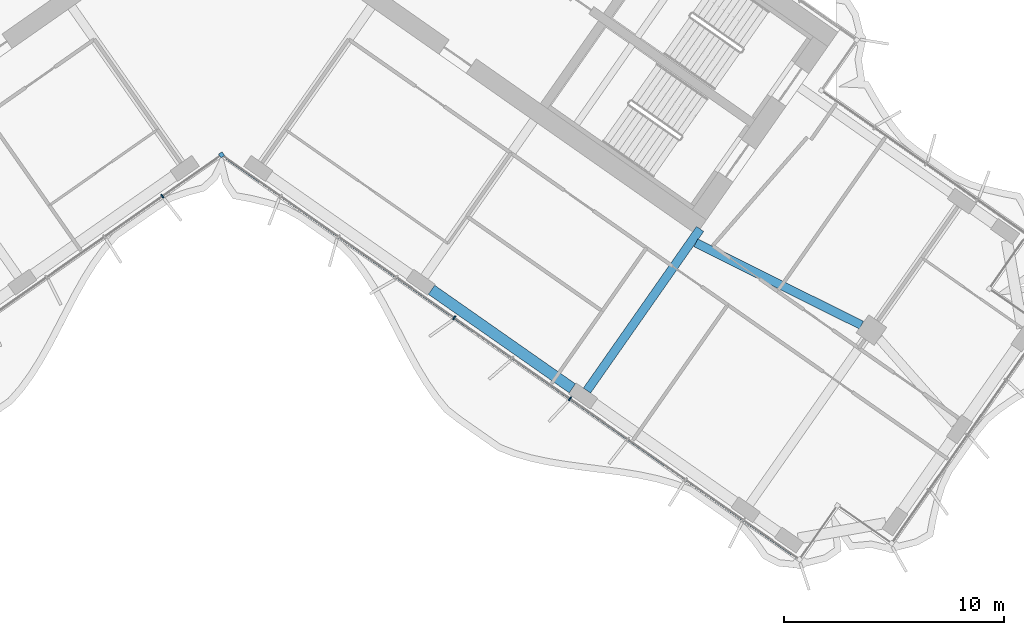
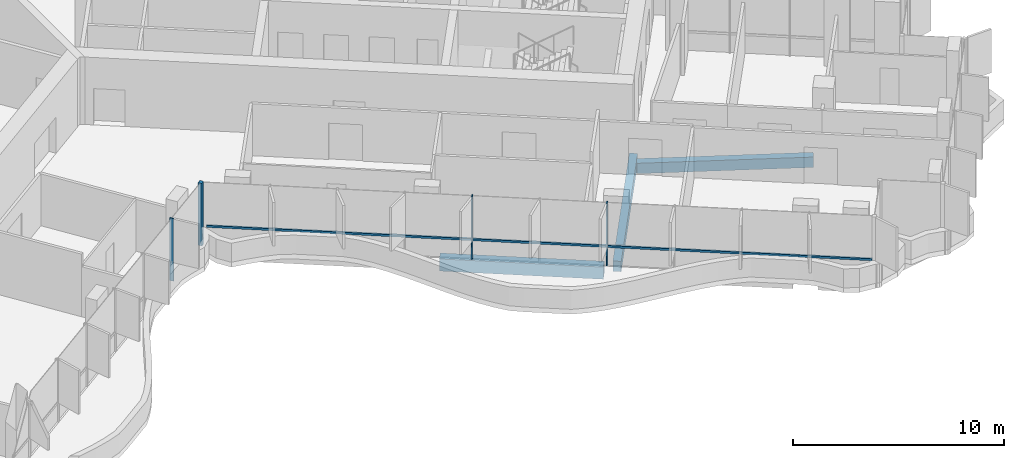
# One storey, part 6 of 23: 5 members, 3 beams, 1 element without a shape of its own.
"""IFC4 building model written with IfcOpenShell, lengths in metres."""

from ifc_helpers import new_model, si_unit, direction, frame, origin, origin_2d, place, context, subcontext, project, spatial, rectangle, extrude, material, material_profile, profile_set, type_object, element, aggregate, save


model = new_model("IFC4")

# Units and contexts
model_context = context("Model", 3, precision=1e-05, world=origin(), true_north=direction((0.0, 1.0)))
body_context = subcontext(model_context, "Body", "Model", "MODEL_VIEW")
ifc_project = project(units=[si_unit("LENGTHUNIT", "METRE"), si_unit("AREAUNIT", "SQUARE_METRE"), si_unit("VOLUMEUNIT", "CUBIC_METRE"), si_unit("PLANEANGLEUNIT", "RADIAN"), si_unit("MASSUNIT", "GRAM", prefix="KILO")], contexts=[model_context])

# Site, building, storey
site_placement = place(None, origin())
site = spatial("IfcSite", under=ifc_project, at=site_placement, CompositionType="ELEMENT")
building_placement = place(site_placement, origin())
building = spatial("IfcBuilding", under=site, at=building_placement, Name="Tel Ilan Convention Tower", CompositionType="ELEMENT")
storey_placement = place(building_placement, frame((0.0, 0.0, 171.0)))
storey = spatial("IfcBuildingStorey", under=building, at=storey_placement, Name="L39", CompositionType="ELEMENT", Elevation=171.0)

# Beams
ifc_material_1 = material(Name="Concrete C40/50", Category="concrete")
ifc_material_profile_1 = material_profile(ifc_material_1, rectangle(XDim=0.39990234375, YDim=0.60009765625, at=origin_2d()), Name="RC 400x600")
ifc_profile_set_1 = profile_set([ifc_material_profile_1], Name="Concrete C40/50")
beam_type_1 = type_object("IfcBeamType", Name="Beam RC 400x600 Concrete C40/50", PredefinedType="BEAM", material=ifc_profile_set_1)
beam_1_placement = place(storey_placement, frame((16.58203125, -23.391357421875, -0.580078125), z_axis=(0.573584999642, 0.819146048141, 0.0), x_axis=(-0.819146048141, 0.573584999642, 0.0)))
element("IfcBeam", 1, at=beam_1_placement, inside=storey, type_object=beam_type_1, Name="L39 beam E-E-F3-core", PredefinedType="BEAM", context=body_context, shape_type="SweptSolid", body=[
    extrude(rectangle(XDim=0.39990234375, YDim=0.60009765625, at=origin_2d()), origin(), (0.0, 0.0, 1.0), 8.949951171875),
])
beam_2_placement = place(storey_placement, frame((21.52099609375, -16.686279296875, -0.580078125), z_axis=(0.895402365524, -0.445257907076, 0.0), x_axis=(0.445257907076, 0.895402365524, 0.0)))
element("IfcBeam", 2, at=beam_2_placement, inside=storey, type_object=beam_type_1, Name="L39 beam E-core-E-M4", PredefinedType="BEAM", context=body_context, shape_type="SweptSolid", body=[
    extrude(rectangle(XDim=0.39990234375, YDim=0.60009765625, at=origin_2d()), origin(), (0.0, 0.0, 1.0), 8.3935546875),
])
ifc_material_2 = material(Name="Concrete C40/50", Category="concrete")
ifc_material_profile_2 = material_profile(ifc_material_2, rectangle(XDim=0.5, YDim=0.699951171875, at=origin_2d()), Name="RC 500x700")
ifc_profile_set_2 = profile_set([ifc_material_profile_2], Name="Concrete C40/50")
beam_type_2 = type_object("IfcBeamType", Name="Beam RC 500x700 Concrete C40/50", PredefinedType="BEAM", material=ifc_profile_set_2)
beam_3_placement = place(storey_placement, frame((9.529052734375, -18.819091796875, -0.6298828125), z_axis=(0.819153977895, -0.573573674866, 0.0), x_axis=(0.573573674866, 0.819153977895, 0.0)))
element("IfcBeam", 3, at=beam_3_placement, inside=storey, type_object=beam_type_2, Name="L39 beam E-E-F2-E-F3", PredefinedType="BEAM", context=body_context, shape_type="SweptSolid", body=[
    extrude(rectangle(XDim=0.5, YDim=0.699951171875, at=origin_2d()), origin(), (0.0, 0.0, 1.0), 7.800048828125),
])

# Curtain wall, members
ifc_material_3 = material(Name="Aluminium, bronze anodised", Category="aluminium")
curtain_wall_type = type_object("IfcCurtainWallType", Name="CW4 STICK CURTAIN WALL, OFFICE TINTED GLASS", PredefinedType="NOTDEFINED", material=ifc_material_3)
curtain_wall_placement = place(storey_placement, origin())
curtain_wall = element("IfcCurtainWall", 4, at=curtain_wall_placement, inside=storey, type_object=curtain_wall_type, Name="Curtain wall CW4-31.02", PredefinedType="NOTDEFINED")
ifc_material_4 = material(Name="Aluminium, bronze anodised", Category="aluminium")
ifc_material_profile_3 = material_profile(ifc_material_4, rectangle(XDim=0.199951171875, YDim=0.199951171875, at=origin_2d()), Name="CW CORNER MULLION 200x200")
ifc_profile_set_3 = profile_set([ifc_material_profile_3], Name="Aluminium, bronze anodised")
member_type_1 = type_object("IfcMemberType", Name="CW CORNER MULLION 200x200", PredefinedType="MULLION", material=ifc_profile_set_3)
member_1_placement = place(storey_placement, frame((0.0, -12.696044921875, 0.0), z_axis=(0.0, 0.0, 1.0), x_axis=(0.819152044289, 0.573576436351, 0.0)))
member_1 = element("IfcMember", 5, at=member_1_placement, type_object=member_type_1, Name="Corner mullion", PredefinedType="MULLION", context=body_context, shape_type="SweptSolid", body=[
    extrude(rectangle(XDim=0.199951171875, YDim=0.199951171875, at=origin_2d()), origin(), (0.0, 0.0, 1.0), 3.6201171875),
])
ifc_material_5 = material(Name="Aluminium, bronze anodised", Category="aluminium")
ifc_material_profile_4 = material_profile(ifc_material_5, rectangle(XDim=0.06005859375, YDim=0.199951171875, at=origin_2d()), Name="CW MULLION 60x200")
ifc_profile_set_4 = profile_set([ifc_material_profile_4], Name="Aluminium, bronze anodised")
member_type_2 = type_object("IfcMemberType", Name="CW MULLION 60x200", PredefinedType="MULLION", material=ifc_profile_set_4)
member_2_placement = place(storey_placement, frame((-2.6826171875, -14.574462890625, 0.0), z_axis=(0.0, 0.0, 1.0), x_axis=(0.819152044289, 0.573576436351, 0.0)))
member_2 = element("IfcMember", 6, at=member_2_placement, type_object=member_type_2, Name="Mullion", PredefinedType="MULLION", context=body_context, shape_type="SweptSolid", body=[
    extrude(rectangle(XDim=0.06005859375, YDim=0.199951171875, at=origin_2d()), origin(), (0.0, 0.0, 1.0), 3.6201171875),
])
member_3_placement = place(storey_placement, frame((10.55810546875, -20.0888671875, 0.0), z_axis=(0.0, 0.0, 1.0), x_axis=(0.819152044289, -0.573576436351, 0.0)))
member_3 = element("IfcMember", 7, at=member_3_placement, type_object=member_type_2, Name="Mullion", PredefinedType="MULLION", context=body_context, shape_type="SweptSolid", body=[
    extrude(rectangle(XDim=0.06005859375, YDim=0.199951171875, at=origin_2d()), origin(), (0.0, 0.0, 1.0), 3.6201171875),
])
member_4_placement = place(storey_placement, frame((15.80859375, -23.765380859375, 0.0), z_axis=(0.0, 0.0, 1.0), x_axis=(0.819152044289, -0.573576436351, 0.0)))
member_4 = element("IfcMember", 8, at=member_4_placement, type_object=member_type_2, Name="Mullion", PredefinedType="MULLION", context=body_context, shape_type="SweptSolid", body=[
    extrude(rectangle(XDim=0.06005859375, YDim=0.199951171875, at=origin_2d()), origin(), (0.0, 0.0, 1.0), 3.6201171875),
])
ifc_material_6 = material(Name="Aluminium, bronze anodised", Category="aluminium")
ifc_material_profile_5 = material_profile(ifc_material_6, rectangle(XDim=0.10009765625, YDim=0.1201171875, at=origin_2d()), Name="CW TRANSOM 100x120")
ifc_profile_set_5 = profile_set([ifc_material_profile_5], Name="Aluminium, bronze anodised")
member_type_3 = type_object("IfcMemberType", Name="CW TRANSOM 100x120", PredefinedType="USERDEFINED", material=ifc_profile_set_5)
member_5_placement = place(storey_placement, frame((0.22119140625, -12.850830078125, 1.10009765625), z_axis=(0.819149281128, -0.573580382534, 0.0), x_axis=(0.573580382534, 0.819149281128, 0.0)))
member_5 = element("IfcMember", 9, at=member_5_placement, type_object=member_type_3, Name="Transom", ObjectType="TRANSOM", PredefinedType="USERDEFINED", context=body_context, shape_type="SweptSolid", body=[
    extrude(rectangle(XDim=0.10009765625, YDim=0.1201171875, at=origin_2d()), origin(), (0.0, 0.0, 1.0), 31.64794921875),
])
aggregate(curtain_wall, [member_2, member_1, member_3, member_4, member_5])

save(model, "model.ifc")
